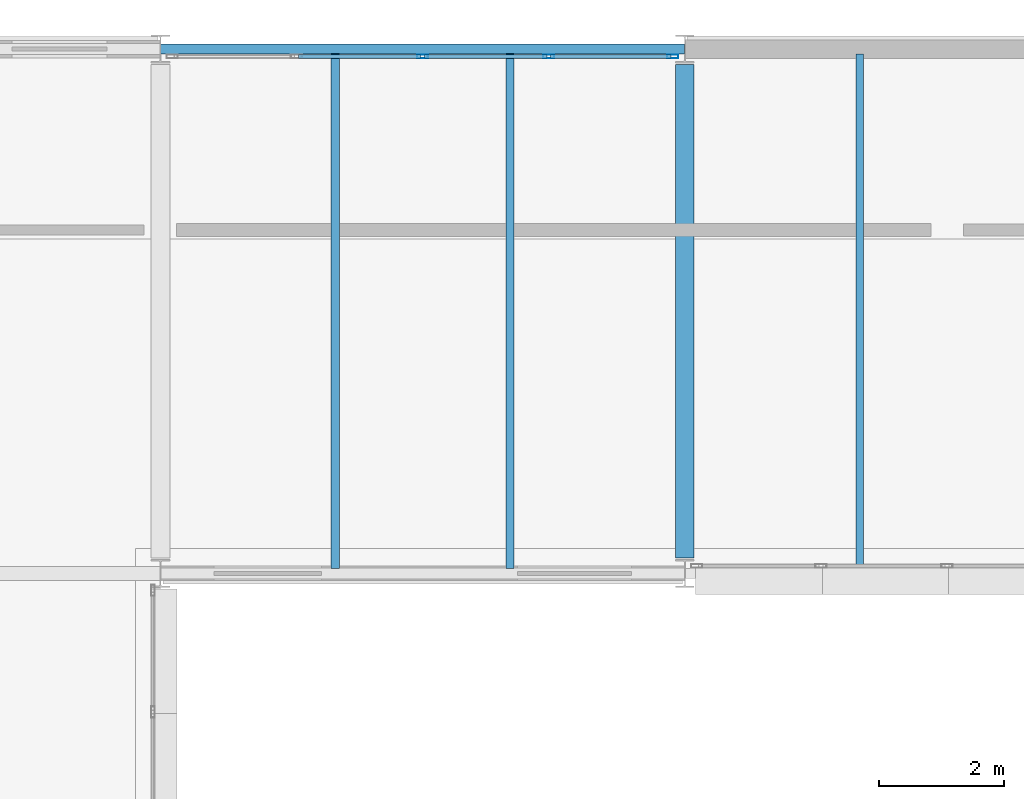
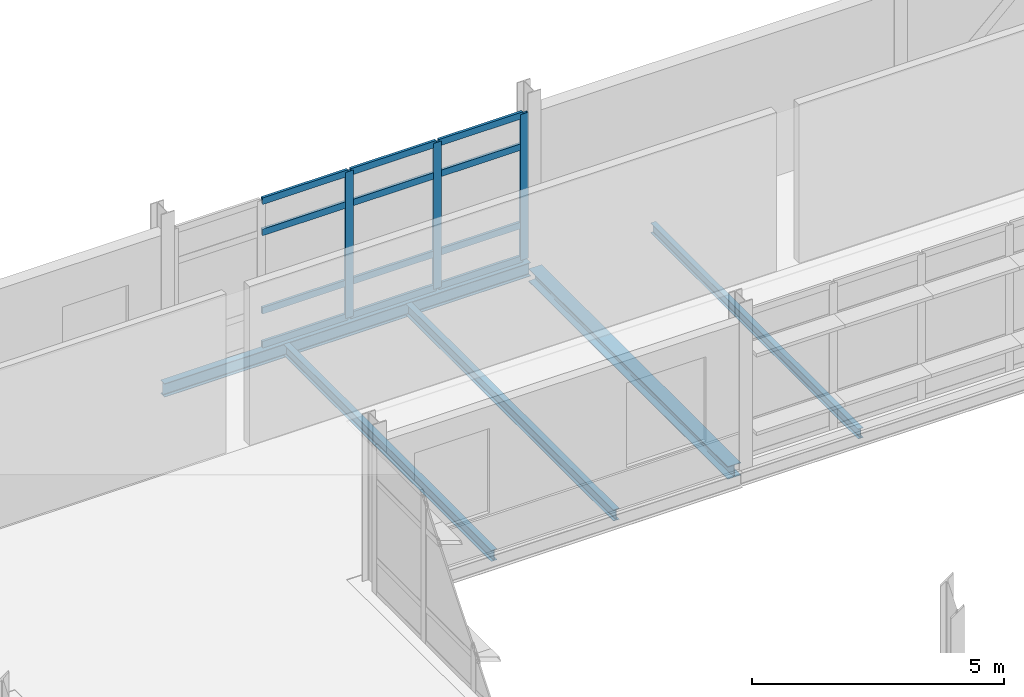
# One storey, part 58 of 103: 15 members, 5 beams, 1 element without a shape of its own.
"""IFC4 building model written with IfcOpenShell, lengths in metres."""

from ifc_helpers import new_model, si_unit, direction, frame, origin, origin_2d, place, context, subcontext, project, spatial, hollow_rectangle, i_section, extrude, material, material_profile, profile_set, type_object, element, aggregate, save


model = new_model("IFC4")

# Units and contexts
model_context = context("Model", 3, precision=1e-05, world=origin(), true_north=direction((0.0, 1.0)))
body_context = subcontext(model_context, "Body", "Model", "MODEL_VIEW")
ifc_project = project(units=[si_unit("LENGTHUNIT", "METRE"), si_unit("AREAUNIT", "SQUARE_METRE"), si_unit("VOLUMEUNIT", "CUBIC_METRE"), si_unit("PLANEANGLEUNIT", "RADIAN"), si_unit("MASSUNIT", "GRAM", prefix="KILO")], contexts=[model_context])

# Site, building, storey
site_placement = place(None, origin())
site = spatial("IfcSite", under=ifc_project, at=site_placement, CompositionType="ELEMENT")
building_placement = place(site_placement, origin())
building = spatial("IfcBuilding", under=site, at=building_placement, Name="Mersafa Astral City Hall", CompositionType="ELEMENT")
storey_placement = place(building_placement, frame((0.0, 0.0, 18.0)))
storey = spatial("IfcBuildingStorey", under=building, at=storey_placement, Name="L04", CompositionType="ELEMENT", Elevation=18.0)

# Curtain wall, members
ifc_material_1 = material(Name="Anodised bronze aluminium framing", Category="aluminium")
curtain_wall_type = type_object("IfcCurtainWallType", Name="ENV-CW-3", PredefinedType="USERDEFINED", material=ifc_material_1)
curtain_wall_placement = place(storey_placement, origin())
curtain_wall = element("IfcCurtainWall", 1, at=curtain_wall_placement, inside=storey, type_object=curtain_wall_type, Name="L04 Unitised solar curtain wall 194", ObjectType="UNITISED CURTAIN WALL", PredefinedType="USERDEFINED")
ifc_material_profile_1 = material_profile(ifc_material_1, hollow_rectangle(XDim=0.06005859375, YDim=0.179931640625, WallThickness=0.00390625, at=origin_2d()), Name="RHS 60x180x4")
ifc_profile_set_1 = profile_set([ifc_material_profile_1], Name="Anodised bronze aluminium framing")
member_type_1 = type_object("IfcMemberType", Name="ENV-CW-MUL-1", PredefinedType="MULLION", material=ifc_profile_set_1)
member_1_placement = place(storey_placement, frame((125.80810546875, 125.8798828125, -0.001953125), z_axis=(0.0, 0.0, 1.0), x_axis=(0.0, -1.0, 0.0)))
member_1 = element("IfcMember", 2, at=member_1_placement, type_object=member_type_1, Name="CW-3 mullion 1", PredefinedType="MULLION", context=body_context, shape_type="SweptSolid", body=[
    extrude(hollow_rectangle(XDim=0.06005859375, YDim=0.179931640625, WallThickness=0.00390625, at=origin_2d()), origin(), (0.0, 0.0, 1.0), 3.5390625),
])
member_2_placement = place(storey_placement, frame((123.819091796875, 125.8798828125, -0.001953125), z_axis=(0.0, 0.0, 1.0), x_axis=(0.0, -1.0, 0.0)))
member_2 = element("IfcMember", 3, at=member_2_placement, type_object=member_type_1, Name="CW-3 mullion 2", PredefinedType="MULLION", context=body_context, shape_type="SweptSolid", body=[
    extrude(hollow_rectangle(XDim=0.06005859375, YDim=0.179931640625, WallThickness=0.00390625, at=origin_2d()), origin(), (0.0, 0.0, 1.0), 3.5390625),
])
member_3_placement = place(storey_placement, frame((121.800048828125, 125.8798828125, -0.001953125), z_axis=(0.0, 0.0, 1.0), x_axis=(0.0, -1.0, 0.0)))
member_3 = element("IfcMember", 4, at=member_3_placement, type_object=member_type_1, Name="CW-3 mullion 3", PredefinedType="MULLION", context=body_context, shape_type="SweptSolid", body=[
    extrude(hollow_rectangle(XDim=0.06005859375, YDim=0.179931640625, WallThickness=0.00390625, at=origin_2d()), origin(), (0.0, 0.0, 1.0), 3.5390625),
])
ifc_material_profile_2 = material_profile(ifc_material_1, hollow_rectangle(XDim=0.06005859375, YDim=0.159912109375, WallThickness=0.00390625, at=origin_2d()), Name="RHS 60x160x4")
ifc_profile_set_2 = profile_set([ifc_material_profile_2], Name="Anodised bronze aluminium framing")
member_type_2 = type_object("IfcMemberType", Name="ENV-CW-TRN-2", PredefinedType="USERDEFINED", material=ifc_profile_set_2)
member_4_placement = place(storey_placement, frame((125.778076171875, 125.8798828125, 0.028076171875), z_axis=(-1.0, 0.0, 0.0), x_axis=(0.0, -1.0, 0.0)))
member_4 = element("IfcMember", 5, at=member_4_placement, type_object=member_type_2, Name="CW-3 transom 1.1", ObjectType="TRANSOM", PredefinedType="USERDEFINED", context=body_context, shape_type="SweptSolid", body=[
    extrude(hollow_rectangle(XDim=0.06005859375, YDim=0.159912109375, WallThickness=0.00390625, at=origin_2d()), origin(), (0.0, 0.0, 1.0), 1.928955078125),
])
member_5_placement = place(storey_placement, frame((125.778076171875, 125.8798828125, 0.85009765625), z_axis=(-1.0, 0.0, 0.0), x_axis=(0.0, -1.0, 0.0)))
member_5 = element("IfcMember", 6, at=member_5_placement, type_object=member_type_2, Name="CW-3 transom 1.2", ObjectType="TRANSOM", PredefinedType="USERDEFINED", context=body_context, shape_type="SweptSolid", body=[
    extrude(hollow_rectangle(XDim=0.06005859375, YDim=0.159912109375, WallThickness=0.00390625, at=origin_2d()), origin(), (0.0, 0.0, 1.0), 1.928955078125),
])
member_6_placement = place(storey_placement, frame((125.778076171875, 125.8798828125, 2.75), z_axis=(-1.0, 0.0, 0.0), x_axis=(0.0, -1.0, 0.0)))
member_6 = element("IfcMember", 7, at=member_6_placement, type_object=member_type_2, Name="CW-3 transom 1.3", ObjectType="TRANSOM", PredefinedType="USERDEFINED", context=body_context, shape_type="SweptSolid", body=[
    extrude(hollow_rectangle(XDim=0.06005859375, YDim=0.159912109375, WallThickness=0.00390625, at=origin_2d()), origin(), (0.0, 0.0, 1.0), 1.928955078125),
])
member_7_placement = place(storey_placement, frame((125.778076171875, 125.8798828125, 3.507080078125), z_axis=(-1.0, 0.0, 0.0), x_axis=(0.0, -1.0, 0.0)))
member_7 = element("IfcMember", 8, at=member_7_placement, type_object=member_type_2, Name="CW-3 transom 1.4", ObjectType="TRANSOM", PredefinedType="USERDEFINED", context=body_context, shape_type="SweptSolid", body=[
    extrude(hollow_rectangle(XDim=0.06005859375, YDim=0.159912109375, WallThickness=0.00390625, at=origin_2d()), origin(), (0.0, 0.0, 1.0), 1.928955078125),
])
member_8_placement = place(storey_placement, frame((123.7890625, 125.8798828125, 0.028076171875), z_axis=(-1.0, 0.0, 0.0), x_axis=(0.0, -1.0, 0.0)))
member_8 = element("IfcMember", 9, at=member_8_placement, type_object=member_type_2, Name="CW-3 transom 2.1", ObjectType="TRANSOM", PredefinedType="USERDEFINED", context=body_context, shape_type="SweptSolid", body=[
    extrude(hollow_rectangle(XDim=0.06005859375, YDim=0.159912109375, WallThickness=0.00390625, at=origin_2d()), origin(), (0.0, 0.0, 1.0), 1.958984375),
])
member_9_placement = place(storey_placement, frame((123.7890625, 125.8798828125, 0.85009765625), z_axis=(-1.0, 0.0, 0.0), x_axis=(0.0, -1.0, 0.0)))
member_9 = element("IfcMember", 10, at=member_9_placement, type_object=member_type_2, Name="CW-3 transom 2.2", ObjectType="TRANSOM", PredefinedType="USERDEFINED", context=body_context, shape_type="SweptSolid", body=[
    extrude(hollow_rectangle(XDim=0.06005859375, YDim=0.159912109375, WallThickness=0.00390625, at=origin_2d()), origin(), (0.0, 0.0, 1.0), 1.958984375),
])
member_10_placement = place(storey_placement, frame((123.7890625, 125.8798828125, 2.75), z_axis=(-1.0, 0.0, 0.0), x_axis=(0.0, -1.0, 0.0)))
member_10 = element("IfcMember", 11, at=member_10_placement, type_object=member_type_2, Name="CW-3 transom 2.3", ObjectType="TRANSOM", PredefinedType="USERDEFINED", context=body_context, shape_type="SweptSolid", body=[
    extrude(hollow_rectangle(XDim=0.06005859375, YDim=0.159912109375, WallThickness=0.00390625, at=origin_2d()), origin(), (0.0, 0.0, 1.0), 1.958984375),
])
member_11_placement = place(storey_placement, frame((123.7890625, 125.8798828125, 3.507080078125), z_axis=(-1.0, 0.0, 0.0), x_axis=(0.0, -1.0, 0.0)))
member_11 = element("IfcMember", 12, at=member_11_placement, type_object=member_type_2, Name="CW-3 transom 2.4", ObjectType="TRANSOM", PredefinedType="USERDEFINED", context=body_context, shape_type="SweptSolid", body=[
    extrude(hollow_rectangle(XDim=0.06005859375, YDim=0.159912109375, WallThickness=0.00390625, at=origin_2d()), origin(), (0.0, 0.0, 1.0), 1.958984375),
])
member_12_placement = place(storey_placement, frame((121.77001953125, 125.8798828125, 0.028076171875), z_axis=(-1.0, 0.0, 0.0), x_axis=(0.0, -1.0, 0.0)))
member_12 = element("IfcMember", 13, at=member_12_placement, type_object=member_type_2, Name="CW-3 transom 3.1", ObjectType="TRANSOM", PredefinedType="USERDEFINED", context=body_context, shape_type="SweptSolid", body=[
    extrude(hollow_rectangle(XDim=0.06005859375, YDim=0.159912109375, WallThickness=0.00390625, at=origin_2d()), origin(), (0.0, 0.0, 1.0), 1.958984375),
])
member_13_placement = place(storey_placement, frame((121.77001953125, 125.8798828125, 0.85009765625), z_axis=(-1.0, 0.0, 0.0), x_axis=(0.0, -1.0, 0.0)))
member_13 = element("IfcMember", 14, at=member_13_placement, type_object=member_type_2, Name="CW-3 transom 3.2", ObjectType="TRANSOM", PredefinedType="USERDEFINED", context=body_context, shape_type="SweptSolid", body=[
    extrude(hollow_rectangle(XDim=0.06005859375, YDim=0.159912109375, WallThickness=0.00390625, at=origin_2d()), origin(), (0.0, 0.0, 1.0), 1.958984375),
])
member_14_placement = place(storey_placement, frame((121.77001953125, 125.8798828125, 2.75), z_axis=(-1.0, 0.0, 0.0), x_axis=(0.0, -1.0, 0.0)))
member_14 = element("IfcMember", 15, at=member_14_placement, type_object=member_type_2, Name="CW-3 transom 3.3", ObjectType="TRANSOM", PredefinedType="USERDEFINED", context=body_context, shape_type="SweptSolid", body=[
    extrude(hollow_rectangle(XDim=0.06005859375, YDim=0.159912109375, WallThickness=0.00390625, at=origin_2d()), origin(), (0.0, 0.0, 1.0), 1.958984375),
])
member_15_placement = place(storey_placement, frame((121.77001953125, 125.8798828125, 3.507080078125), z_axis=(-1.0, 0.0, 0.0), x_axis=(0.0, -1.0, 0.0)))
member_15 = element("IfcMember", 16, at=member_15_placement, type_object=member_type_2, Name="CW-3 transom 3.4", ObjectType="TRANSOM", PredefinedType="USERDEFINED", context=body_context, shape_type="SweptSolid", body=[
    extrude(hollow_rectangle(XDim=0.06005859375, YDim=0.159912109375, WallThickness=0.00390625, at=origin_2d()), origin(), (0.0, 0.0, 1.0), 1.958984375),
])
aggregate(curtain_wall, [member_1, member_2, member_3, member_4, member_5, member_6, member_7, member_8, member_9, member_10, member_11, member_12, member_13, member_14, member_15])

# Beams
ifc_material_2 = material(Name="Steel S355", Category="steel")
ifc_material_profile_3 = material_profile(ifc_material_2, i_section(OverallWidth=0.300048828125, OverallDepth=0.31005859375, WebThickness=0.009033203125, FlangeThickness=0.015380859375, FilletRadius=0.027099609375, at=origin_2d()), Name="HEA 320")
ifc_profile_set_3 = profile_set([ifc_material_profile_3], Name="Steel S355")
beam_type_1 = type_object("IfcBeamType", Name="STR-BM-HEA320", PredefinedType="BEAM", material=ifc_profile_set_3)
beam_1_placement = place(storey_placement, frame((126.0, 117.844970703125, -0.340087890625), z_axis=(0.0, 1.0, 0.0), x_axis=(-1.0, 0.0, 0.0)))
element("IfcBeam", 17, at=beam_1_placement, inside=storey, type_object=beam_type_1, Name="L04 Primary girder Y 15-14", PredefinedType="BEAM", context=body_context, shape_type="SweptSolid", body=[
    extrude(i_section(OverallWidth=0.300048828125, OverallDepth=0.31005859375, WebThickness=0.009033203125, FlangeThickness=0.015380859375, FilletRadius=0.027099609375, at=origin_2d()), origin(), (0.0, 0.0, 1.0), 7.909912109375),
])
ifc_material_profile_4 = material_profile(ifc_material_2, i_section(OverallWidth=0.1201171875, OverallDepth=0.239990234375, WebThickness=0.006103515625, FlangeThickness=0.009765625, FilletRadius=0.014892578125, at=origin_2d()), Name="IPE 240")
ifc_profile_set_4 = profile_set([ifc_material_profile_4], Name="Steel S355")
beam_type_2 = type_object("IfcBeamType", Name="STR-BM-JOIST-IPE240", PredefinedType="JOIST", material=ifc_profile_set_4)
beam_2_placement = place(storey_placement, frame((128.800048828125, 117.675048828125, -0.304931640625), z_axis=(0.0, 1.0, 0.0), x_axis=(-1.0, 0.0, 0.0)))
element("IfcBeam", 18, at=beam_2_placement, inside=storey, type_object=beam_type_2, Name="L04 Composite secondary floor joist 748", PredefinedType="JOIST", context=body_context, shape_type="SweptSolid", body=[
    extrude(i_section(OverallWidth=0.1201171875, OverallDepth=0.239990234375, WebThickness=0.006103515625, FlangeThickness=0.009765625, FilletRadius=0.014892578125, at=origin_2d()), origin(), (0.0, 0.0, 1.0), 8.244873046875),
])
ifc_material_profile_5 = material_profile(ifc_material_2, i_section(OverallWidth=0.135009765625, OverallDepth=0.27001953125, WebThickness=0.006591796875, FlangeThickness=0.01025390625, FilletRadius=0.014892578125, at=origin_2d()), Name="IPE 270")
ifc_profile_set_5 = profile_set([ifc_material_profile_5], Name="Steel S355")
beam_type_3 = type_object("IfcBeamType", Name="STR-BM-JOIST-IPE270", PredefinedType="JOIST", material=ifc_profile_set_5)
for number, where, z_axis, x_axis, name in (
    (19, (120.39990234375, 117.679931640625, -0.320068359375), (0.0, 1.0, 0.0), (-1.0, 0.0, 0.0), "L04 Composite secondary floor joist 746"),
    (20, (123.199951171875, 117.679931640625, -0.320068359375), (0.0, 1.0, 0.0), (-1.0, 0.0, 0.0), "L04 Composite secondary floor joist 747"),
):
    element("IfcBeam", number, at=place(storey_placement, frame(where, z_axis=z_axis, x_axis=x_axis)), inside=storey, type_object=beam_type_3, Name=name, PredefinedType="JOIST", context=body_context, shape_type="SweptSolid", body=[
        extrude(i_section(OverallWidth=0.135009765625, OverallDepth=0.27001953125, WebThickness=0.006591796875, FlangeThickness=0.01025390625, FilletRadius=0.014892578125, at=origin_2d()), origin(), (0.0, 0.0, 1.0), 8.2451171875),
    ])
ifc_material_profile_6 = material_profile(ifc_material_2, i_section(OverallWidth=0.159912109375, OverallDepth=0.330078125, WebThickness=0.007568359375, FlangeThickness=0.011474609375, FilletRadius=0.01806640625, at=origin_2d()), Name="IPE 330")
ifc_profile_set_6 = profile_set([ifc_material_profile_6], Name="Steel S355")
beam_type_4 = type_object("IfcBeamType", Name="STR-BM-SPANDREL-IPE330", PredefinedType="SPANDREL", material=ifc_profile_set_6)
beam_3_placement = place(storey_placement, frame((117.60302734375, 126.0, -0.35009765625), z_axis=(1.0, 0.0, 0.0), x_axis=(0.0, 1.0, 0.0)))
element("IfcBeam", 21, at=beam_3_placement, inside=storey, type_object=beam_type_4, Name="L04 Primary girder X 14-15", PredefinedType="SPANDREL", context=body_context, shape_type="SweptSolid", body=[
    extrude(i_section(OverallWidth=0.159912109375, OverallDepth=0.330078125, WebThickness=0.007568359375, FlangeThickness=0.011474609375, FilletRadius=0.01806640625, at=origin_2d()), origin(), (0.0, 0.0, 1.0), 8.39404296875),
])

save(model, "model.ifc")
